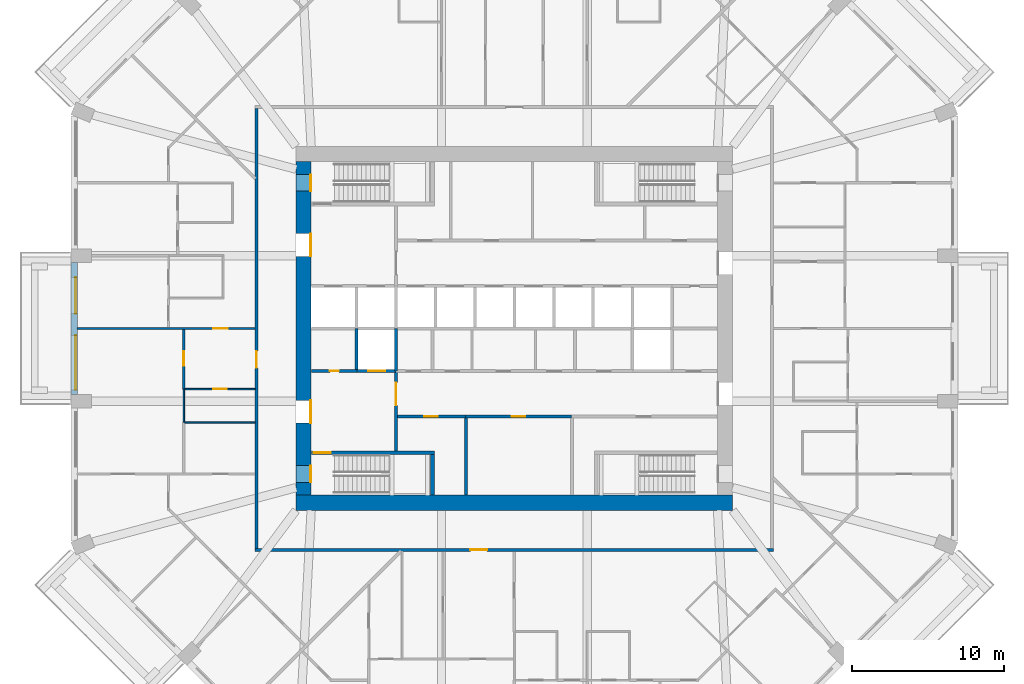
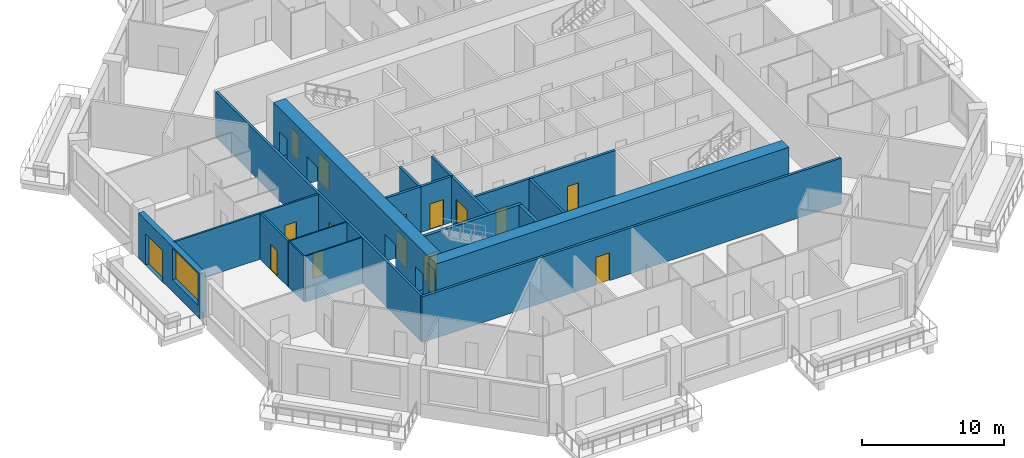
# One storey, part 4 of 13: 20 walls, 16 doors, 1 window, 17 openings.
"""IFC4 building model written with IfcOpenShell, lengths in metres."""

from ifc_helpers import new_model, si_unit, direction, frame, frame_2d, origin, place, context, subcontext, project, spatial, rectangle, extrude, material, layer, layer_set, type_object, element, fill, save


model = new_model("IFC4")

# Units and contexts
model_context = context("Model", 3, precision=1e-05, world=origin(), true_north=direction((0.0, 1.0)))
body_context = subcontext(model_context, "Body", "Model", "MODEL_VIEW")
ifc_project = project(units=[si_unit("LENGTHUNIT", "METRE"), si_unit("AREAUNIT", "SQUARE_METRE"), si_unit("VOLUMEUNIT", "CUBIC_METRE"), si_unit("PLANEANGLEUNIT", "RADIAN"), si_unit("MASSUNIT", "GRAM", prefix="KILO")], contexts=[model_context])

# Site, building, storey
site_placement = place(None, origin())
site = spatial("IfcSite", under=ifc_project, at=site_placement, CompositionType="ELEMENT")
building_placement = place(site_placement, origin())
building = spatial("IfcBuilding", under=site, at=building_placement, Name="Msitu Wima Residences", CompositionType="ELEMENT")
storey_placement = place(building_placement, frame((0.0, 0.0, 71.699951171875)))
storey = spatial("IfcBuildingStorey", under=building, at=storey_placement, Name="L16", CompositionType="ELEMENT", Elevation=71.699951171875)

# Wall, openings, door, window
ifc_material_1 = material(Name="Brick (red buff mix)", Category="masonry")
ifc_layer_1 = layer(ifc_material_1, 0.449951171875)
ifc_layer_set_1 = layer_set([ifc_layer_1], Name="Brick (red buff mix)")
wall_type_1 = type_object("IfcWallType", Name="Brick infill wall BW450", PredefinedType="SOLIDWALL", material=ifc_layer_set_1)
wall_1_placement = place(storey_placement, frame((-29.02490234375, 4.35009765625, 0.0), z_axis=(0.0, 0.0, 1.0), x_axis=(0.0, -1.0, 0.0)))
wall_1 = element("IfcWall", 1, at=wall_1_placement, inside=storey, type_object=wall_type_1, Name="Brick infill wall L16 W1", PredefinedType="SOLIDWALL", context=body_context, shape_type="SweptSolid", body=[
    extrude(rectangle(XDim=8.7001953125, YDim=0.449951171875, at=frame_2d((4.35009765625, 0.0))), origin(), (0.0, 0.0, 1.0), 3.900146484375),
])
opening_1_placement = place(wall_1_placement, frame((0.97509765625, 0.0, 0.0)))
opening_1 = element("IfcOpeningElement", 2, at=opening_1_placement, cuts=wall_1, Name="Opening D16-17.010", PredefinedType="OPENING", context=body_context, shape_type="SweptSolid", body=[
    extrude(rectangle(XDim=2.39990234375, YDim=2.699951171875, at=frame_2d((1.199951171875, 1.35009765625))), frame((0.0, 0.23486328125, 0.0), z_axis=(0.0, -1.0, 0.0), x_axis=(1.0, 0.0, 0.0)), (0.0, 0.0, 1.0), 0.469970703125),
])
opening_2_placement = place(wall_1_placement, frame((4.800048828125, 0.0, 1.050048828125)))
opening_2 = element("IfcOpeningElement", 3, at=opening_2_placement, cuts=wall_1, Name="Opening W16-17.028", PredefinedType="OPENING", context=body_context, shape_type="SweptSolid", body=[
    extrude(rectangle(XDim=3.60009765625, YDim=2.699951171875, at=frame_2d((1.800048828125, 1.35009765625))), frame((0.0, 0.23486328125, 0.0), z_axis=(0.0, -1.0, 0.0), x_axis=(1.0, 0.0, 0.0)), (0.0, 0.0, 1.0), 0.469970703125),
])
ifc_material_2 = material(Name="Anodised aluminium, bronze finish, clear low-emissivity double glazing", Category="aluminium")
door_type_1 = type_object("IfcDoorType", Name="Balcony door D2400x2700", OperationType="SLIDING_TO_LEFT", PredefinedType="DOOR", material=ifc_material_2)
door_1_placement = place(opening_1_placement, origin())
door_1 = element("IfcDoor", 4, at=door_1_placement, inside=storey, type_object=door_type_1, Name="Balcony door L16 W1", OperationType="SINGLE_SWING_LEFT", OverallHeight=2.699951171875, OverallWidth=2.39990234375, PredefinedType="DOOR", context=body_context, shape_type="SweptSolid", body=[
    extrude(rectangle(XDim=2.39990234375, YDim=2.699951171875, at=frame_2d((1.199951171875, 1.35009765625))), frame((0.0, 0.1298828125, 0.0), z_axis=(0.0, -1.0, 0.0), x_axis=(1.0, 0.0, 0.0)), (0.0, 0.0, 1.0), 0.050048828125),
])
fill(opening_1, door_1)
window_type = type_object("IfcWindowType", Name="Window W3600x2700", PartitioningType="DOUBLE_PANEL_VERTICAL", PredefinedType="WINDOW", material=ifc_material_2)
window_placement = place(opening_2_placement, origin())
window = element("IfcWindow", 5, at=window_placement, inside=storey, type_object=window_type, Name="Window L16 W1.2", OverallHeight=2.699951171875, OverallWidth=3.60009765625, PartitioningType="SINGLE_PANEL", PredefinedType="WINDOW", context=body_context, shape_type="SweptSolid", body=[
    extrude(rectangle(XDim=3.60009765625, YDim=2.699951171875, at=frame_2d((1.800048828125, 1.35009765625))), frame((0.0, 0.135009765625, 0.0), z_axis=(0.0, -1.0, 0.0), x_axis=(1.0, 0.0, 0.0)), (0.0, 0.0, 1.0), 0.06005859375),
])
fill(opening_2, window)

# Wall
ifc_material_3 = material(Name="Concrete C80/95", Category="concrete")
ifc_layer_2 = layer(ifc_material_3, 1.0)
ifc_layer_set_2 = layer_set([ifc_layer_2], Name="Concrete C80/95")
wall_type_2 = type_object("IfcWallType", Name="Core wall CW1000 C80/95", PredefinedType="SHEAR", material=ifc_layer_set_2)
wall_2_placement = place(storey_placement, frame((-14.39990234375, -11.5, 0.0), z_axis=(0.0, 0.0, 1.0), x_axis=(1.0, 0.0, 0.0)))
element("IfcWall", 6, at=wall_2_placement, inside=storey, type_object=wall_type_2, Name="Core wall", PredefinedType="SHEAR", context=body_context, shape_type="SweptSolid", body=[
    extrude(rectangle(XDim=28.7998046875, YDim=1.0, at=frame_2d((14.39990234375, 0.0))), origin(), (0.0, 0.0, 1.0), 4.199951171875),
])

# Wall, openings, doors
wall_3_placement = place(storey_placement, frame((-13.89990234375, -11.0, 0.0), z_axis=(0.0, 0.0, 1.0), x_axis=(0.0, 1.0, 0.0)))
wall_3 = element("IfcWall", 7, at=wall_3_placement, inside=storey, type_object=wall_type_2, Name="Core wall", PredefinedType="SHEAR", context=body_context, shape_type="SweptSolid", body=[
    extrude(rectangle(XDim=22.0, YDim=1.0, at=frame_2d((11.0, 0.0))), origin(), (0.0, 0.0, 1.0), 4.199951171875),
])
opening_3_placement = place(wall_3_placement, frame((20.050048828125, 0.0, 0.0)))
opening_3 = element("IfcOpeningElement", 8, at=opening_3_placement, cuts=wall_3, Name="Opening D16-17.036", PredefinedType="OPENING", context=body_context, shape_type="SweptSolid", body=[
    extrude(rectangle(XDim=1.10009765625, YDim=2.199951171875, at=frame_2d((0.550048828125, 1.10009765625))), frame((0.0, 0.510009765625, 0.0), z_axis=(0.0, -1.0, 0.0), x_axis=(1.0, 0.0, 0.0)), (0.0, 0.0, 1.0), 1.02001953125),
])
opening_4_placement = place(wall_3_placement, frame((0.85009765625, 0.0, 0.0)))
opening_4 = element("IfcOpeningElement", 9, at=opening_4_placement, cuts=wall_3, Name="Opening D16-17.038", PredefinedType="OPENING", context=body_context, shape_type="SweptSolid", body=[
    extrude(rectangle(XDim=1.10009765625, YDim=2.199951171875, at=frame_2d((0.550048828125, 1.10009765625))), frame((0.0, 0.510009765625, 0.0), z_axis=(0.0, -1.0, 0.0), x_axis=(1.0, 0.0, 0.0)), (0.0, 0.0, 1.0), 1.02001953125),
])
opening_5_placement = place(wall_3_placement, frame((15.75, 0.0, 0.0)))
opening_5 = element("IfcOpeningElement", 10, at=opening_5_placement, cuts=wall_3, Name="Opening D16-17.016", PredefinedType="OPENING", context=body_context, shape_type="SweptSolid", body=[
    extrude(rectangle(XDim=1.5, YDim=2.39990234375, at=frame_2d((0.75, 1.199951171875))), frame((0.0, 0.510009765625, 0.0), z_axis=(0.0, -1.0, 0.0), x_axis=(1.0, 0.0, 0.0)), (0.0, 0.0, 1.0), 1.02001953125),
])
opening_6_placement = place(wall_3_placement, frame((4.75, 0.0, 0.0)))
opening_6 = element("IfcOpeningElement", 11, at=opening_6_placement, cuts=wall_3, Name="Opening D16-17.018", PredefinedType="OPENING", context=body_context, shape_type="SweptSolid", body=[
    extrude(rectangle(XDim=1.5, YDim=2.39990234375, at=frame_2d((0.75, 1.199951171875))), frame((0.0, 0.510009765625, 0.0), z_axis=(0.0, -1.0, 0.0), x_axis=(1.0, 0.0, 0.0)), (0.0, 0.0, 1.0), 1.02001953125),
])
ifc_material_4 = material(Name="Steel framed glazed door, fire resisting", Category="steel")
door_type_2 = type_object("IfcDoorType", Name="Lobby door D07 1500x2400", OperationType="DOUBLE_DOOR_SINGLE_SWING", PredefinedType="DOOR", material=ifc_material_4)
door_2_placement = place(opening_5_placement, origin())
door_2 = element("IfcDoor", 12, at=door_2_placement, inside=storey, type_object=door_type_2, Name="Lobby door", OperationType="DOUBLE_DOOR_SINGLE_SWING", OverallHeight=2.39990234375, OverallWidth=1.5, PredefinedType="DOOR", context=body_context, shape_type="SweptSolid", body=[
    extrude(rectangle(XDim=1.5, YDim=2.39990234375, at=frame_2d((0.75, 1.199951171875))), frame((0.0, -0.44482421875, 0.0), z_axis=(0.0, -1.0, 0.0), x_axis=(1.0, 0.0, 0.0)), (0.0, 0.0, 1.0), 0.050048828125),
])
fill(opening_5, door_2)
door_3_placement = place(opening_6_placement, origin())
door_3 = element("IfcDoor", 13, at=door_3_placement, inside=storey, type_object=door_type_2, Name="Lobby door", OperationType="DOUBLE_DOOR_SINGLE_SWING", OverallHeight=2.39990234375, OverallWidth=1.5, PredefinedType="DOOR", context=body_context, shape_type="SweptSolid", body=[
    extrude(rectangle(XDim=1.5, YDim=2.39990234375, at=frame_2d((0.75, 1.199951171875))), frame((0.0, -0.44482421875, 0.0), z_axis=(0.0, -1.0, 0.0), x_axis=(1.0, 0.0, 0.0)), (0.0, 0.0, 1.0), 0.050048828125),
])
fill(opening_6, door_3)
ifc_material_5 = material(Name="Steel door, fire resisting, panic bar", Category="steel")
door_type_3 = type_object("IfcDoorType", Name="Stair door D06 1100x2200", OperationType="SINGLE_SWING_LEFT", PredefinedType="DOOR", material=ifc_material_5)
door_4_placement = place(opening_3_placement, origin())
door_4 = element("IfcDoor", 14, at=door_4_placement, inside=storey, type_object=door_type_3, Name="Stair door", OperationType="SINGLE_SWING_RIGHT", OverallHeight=2.199951171875, OverallWidth=1.10009765625, PredefinedType="DOOR", context=body_context, shape_type="SweptSolid", body=[
    extrude(rectangle(XDim=1.10009765625, YDim=2.199951171875, at=frame_2d((0.550048828125, 1.10009765625))), frame((0.0, -0.44482421875, 0.0), z_axis=(0.0, -1.0, 0.0), x_axis=(1.0, 0.0, 0.0)), (0.0, 0.0, 1.0), 0.050048828125),
])
fill(opening_3, door_4)
door_5_placement = place(opening_4_placement, origin())
door_5 = element("IfcDoor", 15, at=door_5_placement, inside=storey, type_object=door_type_3, Name="Stair door", OperationType="SINGLE_SWING_LEFT", OverallHeight=2.199951171875, OverallWidth=1.10009765625, PredefinedType="DOOR", context=body_context, shape_type="SweptSolid", body=[
    extrude(rectangle(XDim=1.10009765625, YDim=2.199951171875, at=frame_2d((0.550048828125, 1.10009765625))), frame((0.0, -0.44482421875, 0.0), z_axis=(0.0, -1.0, 0.0), x_axis=(1.0, 0.0, 0.0)), (0.0, 0.0, 1.0), 0.050048828125),
])
fill(opening_4, door_5)

# Wall, opening, door
ifc_material_6 = material(Name="Plaster")
ifc_layer_3 = layer(ifc_material_6, 0.011962890625, Name="Plaster")
ifc_material_7 = material(Name="Concrete blockwork", Category="masonry")
ifc_layer_4 = layer(ifc_material_7, 0.176025390625, Name="Concrete blockwork")
ifc_layer_5 = layer(ifc_material_6, 0.011962890625, Name="Plaster")
ifc_layer_set_3 = layer_set([ifc_layer_3, ifc_layer_4, ifc_layer_5], Name="Concrete blockwork")
wall_type_3 = type_object("IfcWallType", Name="Corridor wall FW200", PredefinedType="PARTITIONING", material=ifc_layer_set_3)
wall_4_placement = place(storey_placement, frame((-17.0, -14.5, 0.0), z_axis=(0.0, 0.0, 1.0), x_axis=(0.0, 1.0, 0.0)))
wall_4 = element("IfcWall", 16, at=wall_4_placement, inside=storey, type_object=wall_type_3, Name="Corridor wall", PredefinedType="PARTITIONING", context=body_context, shape_type="SweptSolid", body=[
    extrude(rectangle(XDim=29.0, YDim=0.199951171875, at=frame_2d((14.5, 0.0))), origin(), (0.0, 0.0, 1.0), 3.949951171875),
])
opening_7_placement = place(wall_4_placement, frame((11.89990234375, 0.0, 0.0)))
opening_7 = element("IfcOpeningElement", 17, at=opening_7_placement, cuts=wall_4, Name="Opening D16-17.012", PredefinedType="OPENING", context=body_context, shape_type="SweptSolid", body=[
    extrude(rectangle(XDim=1.10009765625, YDim=2.39990234375, at=frame_2d((0.550048828125, 1.199951171875))), frame((0.0, 0.10986328125, 0.0), z_axis=(0.0, -1.0, 0.0), x_axis=(1.0, 0.0, 0.0)), (0.0, 0.0, 1.0), 0.219970703125),
])
ifc_material_8 = material(Name="Timber flush door, fire resisting, self-closing", Category="wood")
door_type_4 = type_object("IfcDoorType", Name="Flat entrance door D01 1100x2400", OperationType="SINGLE_SWING_LEFT", PredefinedType="DOOR", material=ifc_material_8)
door_6_placement = place(opening_7_placement, origin())
door_6 = element("IfcDoor", 18, at=door_6_placement, inside=storey, type_object=door_type_4, Name="Flat entrance door", OperationType="SINGLE_SWING_LEFT", OverallHeight=2.39990234375, OverallWidth=1.10009765625, PredefinedType="DOOR", context=body_context, shape_type="SweptSolid", body=[
    extrude(rectangle(XDim=1.10009765625, YDim=2.39990234375, at=frame_2d((0.550048828125, 1.199951171875))), frame((0.0, 0.02490234375, 0.0), z_axis=(0.0, -1.0, 0.0), x_axis=(1.0, 0.0, 0.0)), (0.0, 0.0, 1.0), 0.050048828125),
])
fill(opening_7, door_6)

wall_5_placement = place(storey_placement, frame((-17.10009765625, -14.60009765625, 0.0), z_axis=(0.0, 0.0, 1.0), x_axis=(1.0, 0.0, 0.0)))
wall_5 = element("IfcWall", 19, at=wall_5_placement, inside=storey, type_object=wall_type_3, Name="Corridor wall", PredefinedType="PARTITIONING", context=body_context, shape_type="SweptSolid", body=[
    extrude(rectangle(XDim=34.2001953125, YDim=0.199951171875, at=frame_2d((17.10009765625, 0.0))), origin(), (0.0, 0.0, 1.0), 3.949951171875),
])
opening_8_placement = place(wall_5_placement, frame((14.199951171875, 0.0, 0.0)))
opening_8 = element("IfcOpeningElement", 20, at=opening_8_placement, cuts=wall_5, Name="Opening D16-17.013", PredefinedType="OPENING", context=body_context, shape_type="SweptSolid", body=[
    extrude(rectangle(XDim=1.10009765625, YDim=2.39990234375, at=frame_2d((0.550048828125, 1.199951171875))), frame((0.0, 0.10986328125, 0.0), z_axis=(0.0, -1.0, 0.0), x_axis=(1.0, 0.0, 0.0)), (0.0, 0.0, 1.0), 0.219970703125),
])
door_7_placement = place(opening_8_placement, origin())
door_7 = element("IfcDoor", 21, at=door_7_placement, inside=storey, type_object=door_type_4, Name="Flat entrance door", OperationType="SINGLE_SWING_RIGHT", OverallHeight=2.39990234375, OverallWidth=1.10009765625, PredefinedType="DOOR", context=body_context, shape_type="SweptSolid", body=[
    extrude(rectangle(XDim=1.10009765625, YDim=2.39990234375, at=frame_2d((0.550048828125, 1.199951171875))), frame((0.0, 0.02490234375, 0.0), z_axis=(0.0, -1.0, 0.0), x_axis=(1.0, 0.0, 0.0)), (0.0, 0.0, 1.0), 0.050048828125),
])
fill(opening_8, door_7)

wall_6_placement = place(storey_placement, frame((-7.800048828125, -8.074951171875, 0.0), z_axis=(0.0, 0.0, 1.0), x_axis=(0.0, 1.0, 0.0)))
wall_6 = element("IfcWall", 22, at=wall_6_placement, inside=storey, type_object=wall_type_3, Name="Corridor wall", PredefinedType="PARTITIONING", context=body_context, shape_type="SweptSolid", body=[
    extrude(rectangle(XDim=5.27490234375, YDim=0.199951171875, at=frame_2d((2.637451171875, 0.0))), origin(), (0.0, 0.0, 1.0), 3.949951171875),
])
opening_9_placement = place(wall_6_placement, frame((3.0, 0.0, 0.0)))
opening_9 = element("IfcOpeningElement", 23, at=opening_9_placement, cuts=wall_6, Name="Opening D16-17.019", PredefinedType="OPENING", context=body_context, shape_type="SweptSolid", body=[
    extrude(rectangle(XDim=1.5, YDim=2.39990234375, at=frame_2d((0.75, 1.199951171875))), frame((0.0, 0.10986328125, 0.0), z_axis=(0.0, -1.0, 0.0), x_axis=(1.0, 0.0, 0.0)), (0.0, 0.0, 1.0), 0.219970703125),
])
door_8_placement = place(opening_9_placement, origin())
door_8 = element("IfcDoor", 24, at=door_8_placement, inside=storey, type_object=door_type_2, Name="Lobby door", OperationType="DOUBLE_DOOR_SINGLE_SWING", OverallHeight=2.39990234375, OverallWidth=1.5, PredefinedType="DOOR", context=body_context, shape_type="SweptSolid", body=[
    extrude(rectangle(XDim=1.5, YDim=2.39990234375, at=frame_2d((0.75, 1.199951171875))), frame((0.0, 0.02490234375, 0.0), z_axis=(0.0, -1.0, 0.0), x_axis=(1.0, 0.0, 0.0)), (0.0, 0.0, 1.0), 0.050048828125),
])
fill(opening_9, door_8)

wall_7_placement = place(storey_placement, frame((-7.699951171875, -5.800048828125, 0.0), z_axis=(0.0, 0.0, 1.0), x_axis=(1.0, 0.0, 0.0)))
wall_7 = element("IfcWall", 25, at=wall_7_placement, inside=storey, type_object=wall_type_3, Name="Corridor wall", PredefinedType="PARTITIONING", context=body_context, shape_type="SweptSolid", body=[
    extrude(rectangle(XDim=4.47998046875, YDim=0.199951171875, at=frame_2d((2.239990234375, 0.0))), origin(), (0.0, 0.0, 1.0), 3.949951171875),
])
opening_10_placement = place(wall_7_placement, frame((1.75, 0.0, 0.0)))
opening_10 = element("IfcOpeningElement", 26, at=opening_10_placement, cuts=wall_7, Name="Opening D16-17.024", PredefinedType="OPENING", context=body_context, shape_type="SweptSolid", body=[
    extrude(rectangle(XDim=0.89990234375, YDim=2.199951171875, at=frame_2d((0.449951171875, 1.10009765625))), frame((0.0, 0.10986328125, 0.0), z_axis=(0.0, -1.0, 0.0), x_axis=(1.0, 0.0, 0.0)), (0.0, 0.0, 1.0), 0.219970703125),
])
ifc_material_9 = material(Name="Timber flush door", Category="wood")
door_type_5 = type_object("IfcDoorType", Name="Service door D05 900x2200", OperationType="SINGLE_SWING_LEFT", PredefinedType="DOOR", material=ifc_material_9)
door_9_placement = place(opening_10_placement, origin())
door_9 = element("IfcDoor", 27, at=door_9_placement, inside=storey, type_object=door_type_5, Name="Service door", OperationType="SINGLE_SWING_RIGHT", OverallHeight=2.199951171875, OverallWidth=0.89990234375, PredefinedType="DOOR", context=body_context, shape_type="SweptSolid", body=[
    extrude(rectangle(XDim=0.89990234375, YDim=2.199951171875, at=frame_2d((0.449951171875, 1.10009765625))), frame((0.0, 0.02490234375, 0.0), z_axis=(0.0, -1.0, 0.0), x_axis=(1.0, 0.0, 0.0)), (0.0, 0.0, 1.0), 0.050048828125),
])
fill(opening_10, door_9)

ifc_layer_6 = layer(ifc_material_6, 0.011962890625, Name="Plaster")
ifc_layer_7 = layer(ifc_material_7, 0.1259765625, Name="Concrete blockwork")
ifc_layer_8 = layer(ifc_material_6, 0.011962890625, Name="Plaster")
ifc_layer_set_4 = layer_set([ifc_layer_6, ifc_layer_7, ifc_layer_8], Name="Concrete blockwork")
wall_type_4 = type_object("IfcWallType", Name="Partition PW150", PredefinedType="PARTITIONING", material=ifc_layer_set_4)
wall_8_placement = place(storey_placement, frame((-28.85498046875, 0.0, 0.0), z_axis=(0.0, 0.0, 1.0), x_axis=(1.0, 0.0, 0.0)))
wall_8 = element("IfcWall", 28, at=wall_8_placement, inside=storey, type_object=wall_type_4, Name="Partition", PredefinedType="PARTITIONING", context=body_context, shape_type="SweptSolid", body=[
    extrude(rectangle(XDim=11.7548828125, YDim=0.14990234375, at=frame_2d((5.87744140625, 0.0))), origin(), (0.0, 0.0, 1.0), 3.949951171875),
])
opening_11_placement = place(wall_8_placement, frame((9.0, 0.0, 0.0)))
opening_11 = element("IfcOpeningElement", 29, at=opening_11_placement, cuts=wall_8, Name="Opening D16-17.046", PredefinedType="OPENING", context=body_context, shape_type="SweptSolid", body=[
    extrude(rectangle(XDim=0.949951171875, YDim=2.199951171875, at=frame_2d((0.47509765625, 1.10009765625))), frame((0.0, 0.0849609375, 0.0), z_axis=(0.0, -1.0, 0.0), x_axis=(1.0, 0.0, 0.0)), (0.0, 0.0, 1.0), 0.169921875),
])
door_type_6 = type_object("IfcDoorType", Name="Room door D12 950x2200", OperationType="SINGLE_SWING_LEFT", PredefinedType="DOOR", material=ifc_material_9)
door_10_placement = place(opening_11_placement, origin())
door_10 = element("IfcDoor", 30, at=door_10_placement, inside=storey, type_object=door_type_6, Name="Room door", OperationType="SINGLE_SWING_RIGHT", OverallHeight=2.199951171875, OverallWidth=0.949951171875, PredefinedType="DOOR", context=body_context, shape_type="SweptSolid", body=[
    extrude(rectangle(XDim=0.949951171875, YDim=2.199951171875, at=frame_2d((0.47509765625, 1.10009765625))), frame((0.0, 0.02490234375, 0.0), z_axis=(0.0, -1.0, 0.0), x_axis=(1.0, 0.0, 0.0)), (0.0, 0.0, 1.0), 0.050048828125),
])
fill(opening_11, door_10)

wall_9_placement = place(storey_placement, frame((-21.800048828125, -4.02001953125, 0.0), z_axis=(0.0, 0.0, 1.0), x_axis=(0.0, 1.0, 0.0)))
wall_9 = element("IfcWall", 31, at=wall_9_placement, inside=storey, type_object=wall_type_4, Name="Partition", PredefinedType="PARTITIONING", context=body_context, shape_type="SweptSolid", body=[
    extrude(rectangle(XDim=3.945068359375, YDim=0.14990234375, at=frame_2d((1.97265625, 0.0))), origin(), (0.0, 0.0, 1.0), 3.949951171875),
])
opening_12_placement = place(wall_9_placement, frame((1.550048828125, 0.0, 0.0)))
opening_12 = element("IfcOpeningElement", 32, at=opening_12_placement, cuts=wall_9, Name="Opening D16-17.047", PredefinedType="OPENING", context=body_context, shape_type="SweptSolid", body=[
    extrude(rectangle(XDim=0.949951171875, YDim=2.199951171875, at=frame_2d((0.47509765625, 1.10009765625))), frame((0.0, 0.0849609375, 0.0), z_axis=(0.0, -1.0, 0.0), x_axis=(1.0, 0.0, 0.0)), (0.0, 0.0, 1.0), 0.169921875),
])
door_11_placement = place(opening_12_placement, origin())
door_11 = element("IfcDoor", 33, at=door_11_placement, inside=storey, type_object=door_type_6, Name="Room door", OperationType="SINGLE_SWING_RIGHT", OverallHeight=2.199951171875, OverallWidth=0.949951171875, PredefinedType="DOOR", context=body_context, shape_type="SweptSolid", body=[
    extrude(rectangle(XDim=0.949951171875, YDim=2.199951171875, at=frame_2d((0.47509765625, 1.10009765625))), frame((0.0, 0.02490234375, 0.0), z_axis=(0.0, -1.0, 0.0), x_axis=(1.0, 0.0, 0.0)), (0.0, 0.0, 1.0), 0.050048828125),
])
fill(opening_12, door_11)

ifc_layer_9 = layer(ifc_material_6, 0.011962890625, Name="Plaster")
ifc_material_10 = material(Name="Reinforced concrete blockwork", Category="masonry")
ifc_layer_10 = layer(ifc_material_10, 0.176025390625, Name="Reinforced concrete blockwork")
ifc_layer_11 = layer(ifc_material_6, 0.011962890625, Name="Plaster")
ifc_layer_set_5 = layer_set([ifc_layer_9, ifc_layer_10, ifc_layer_11], Name="Reinforced concrete blockwork")
wall_type_5 = type_object("IfcWallType", Name="Plant and riser wall PL200", PredefinedType="PARTITIONING", material=ifc_layer_set_5)
wall_10_placement = place(storey_placement, frame((-13.3701171875, -2.800048828125, 0.0), z_axis=(0.0, 0.0, 1.0), x_axis=(1.0, 0.0, 0.0)))
wall_10 = element("IfcWall", 34, at=wall_10_placement, inside=storey, type_object=wall_type_5, Name="Plant and riser wall", PredefinedType="PARTITIONING", context=body_context, shape_type="SweptSolid", body=[
    extrude(rectangle(XDim=2.990234375, YDim=0.199951171875, at=frame_2d((1.4951171875, 0.0))), origin(), (0.0, 0.0, 1.0), 3.949951171875),
])
opening_13_placement = place(wall_10_placement, frame((1.199951171875, 0.0, 0.0)))
opening_13 = element("IfcOpeningElement", 35, at=opening_13_placement, cuts=wall_10, Name="Opening D16-17.030", PredefinedType="OPENING", context=body_context, shape_type="SweptSolid", body=[
    extrude(rectangle(XDim=0.60009765625, YDim=2.0, at=frame_2d((0.300048828125, 1.0))), frame((0.0, 0.10986328125, 0.0), z_axis=(0.0, -1.0, 0.0), x_axis=(1.0, 0.0, 0.0)), (0.0, 0.0, 1.0), 0.219970703125),
])
ifc_material_11 = material(Name="Steel access door, fire resisting", Category="steel")
door_type_7 = type_object("IfcDoorType", Name="Riser access door D08 600x2000", OperationType="SINGLE_SWING_LEFT", PredefinedType="DOOR", material=ifc_material_11)
door_12_placement = place(opening_13_placement, origin())
door_12 = element("IfcDoor", 36, at=door_12_placement, inside=storey, type_object=door_type_7, Name="Riser access door", OperationType="SINGLE_SWING_RIGHT", OverallHeight=2.0, OverallWidth=0.60009765625, PredefinedType="DOOR", context=body_context, shape_type="SweptSolid", body=[
    extrude(rectangle(XDim=0.60009765625, YDim=2.0, at=frame_2d((0.300048828125, 1.0))), frame((0.0, 0.02490234375, 0.0), z_axis=(0.0, -1.0, 0.0), x_axis=(1.0, 0.0, 0.0)), (0.0, 0.0, 1.0), 0.050048828125),
])
fill(opening_13, door_12)

wall_11_placement = place(storey_placement, frame((-3.219970703125, -5.800048828125, 0.0), z_axis=(0.0, 0.0, 1.0), x_axis=(1.0, 0.0, 0.0)))
wall_11 = element("IfcWall", 37, at=wall_11_placement, inside=storey, type_object=wall_type_5, Name="Plant and riser wall", PredefinedType="PARTITIONING", context=body_context, shape_type="SweptSolid", body=[
    extrude(rectangle(XDim=7.0, YDim=0.199951171875, at=frame_2d((3.5, 0.0))), origin(), (0.0, 0.0, 1.0), 3.949951171875),
])
opening_14_placement = place(wall_11_placement, frame((3.050048828125, 0.0, 0.0)))
opening_14 = element("IfcOpeningElement", 38, at=opening_14_placement, cuts=wall_11, Name="Opening D16-17.025", PredefinedType="OPENING", context=body_context, shape_type="SweptSolid", body=[
    extrude(rectangle(XDim=0.89990234375, YDim=2.199951171875, at=frame_2d((0.449951171875, 1.10009765625))), frame((0.0, 0.10986328125, 0.0), z_axis=(0.0, -1.0, 0.0), x_axis=(1.0, 0.0, 0.0)), (0.0, 0.0, 1.0), 0.219970703125),
])
door_13_placement = place(opening_14_placement, origin())
door_13 = element("IfcDoor", 39, at=door_13_placement, inside=storey, type_object=door_type_5, Name="Service door", OperationType="SINGLE_SWING_RIGHT", OverallHeight=2.199951171875, OverallWidth=0.89990234375, PredefinedType="DOOR", context=body_context, shape_type="SweptSolid", body=[
    extrude(rectangle(XDim=0.89990234375, YDim=2.199951171875, at=frame_2d((0.449951171875, 1.10009765625))), frame((0.0, 0.02490234375, 0.0), z_axis=(0.0, -1.0, 0.0), x_axis=(1.0, 0.0, 0.0)), (0.0, 0.0, 1.0), 0.050048828125),
])
fill(opening_14, door_13)

# Walls
wall_12_placement = place(storey_placement, frame((-3.199951171875, -10.969970703125, 0.0), z_axis=(0.0, 0.0, 1.0), x_axis=(0.0, 1.0, 0.0)))
element("IfcWall", 40, at=wall_12_placement, inside=storey, type_object=wall_type_5, Name="Plant and riser wall", PredefinedType="PARTITIONING", context=body_context, shape_type="SweptSolid", body=[
    extrude(rectangle(XDim=5.070068359375, YDim=0.199951171875, at=frame_2d((2.53515625, 0.0))), origin(), (0.0, 0.0, 1.0), 3.949951171875),
])
ifc_material_12 = material(Name="Fire-rated board")
ifc_layer_12 = layer(ifc_material_12, 0.02490234375, Name="Fire-rated board")
ifc_material_13 = material(Name="Light-gauge stud framing with mineral wool")
ifc_layer_13 = layer(ifc_material_13, 0.14990234375, Name="Light-gauge stud framing with mineral wool")
ifc_layer_14 = layer(ifc_material_12, 0.02490234375, Name="Fire-rated board")
ifc_layer_set_6 = layer_set([ifc_layer_12, ifc_layer_13, ifc_layer_14], Name="Light-gauge stud framing with mineral wool")
wall_type_6 = type_object("IfcWallType", Name="Shaft wall SH200", PredefinedType="PARTITIONING", material=ifc_layer_set_6)
wall_13_placement = place(storey_placement, frame((-10.39990234375, -2.699951171875, 0.0), z_axis=(0.0, 0.0, 1.0), x_axis=(0.0, 1.0, 0.0)))
element("IfcWall", 41, at=wall_13_placement, inside=storey, type_object=wall_type_6, Name="Shaft wall", PredefinedType="PARTITIONING", context=body_context, shape_type="SweptSolid", body=[
    extrude(rectangle(XDim=2.699951171875, YDim=0.199951171875, at=frame_2d((1.35009765625, 0.0))), origin(), (0.0, 0.0, 1.0), 3.949951171875),
])

# Wall, opening, door
wall_14_placement = place(storey_placement, frame((-10.3798828125, -2.800048828125, 0.0), z_axis=(0.0, 0.0, 1.0), x_axis=(1.0, 0.0, 0.0)))
wall_14 = element("IfcWall", 42, at=wall_14_placement, inside=storey, type_object=wall_type_6, Name="Shaft wall", PredefinedType="PARTITIONING", context=body_context, shape_type="SweptSolid", body=[
    extrude(rectangle(XDim=2.579833984375, YDim=0.199951171875, at=frame_2d((1.2900390625, 0.0))), origin(), (0.0, 0.0, 1.0), 3.949951171875),
])
opening_15_placement = place(wall_14_placement, frame((0.75, 0.0, 0.0)))
opening_15 = element("IfcOpeningElement", 43, at=opening_15_placement, cuts=wall_14, Name="Opening LD", PredefinedType="OPENING", context=body_context, shape_type="SweptSolid", body=[
    extrude(rectangle(XDim=1.10009765625, YDim=2.199951171875, at=frame_2d((0.550048828125, 1.10009765625))), frame((0.0, 0.10986328125, 0.0), z_axis=(0.0, -1.0, 0.0), x_axis=(1.0, 0.0, 0.0)), (0.0, 0.0, 1.0), 0.219970703125),
])
ifc_material_14 = material(Name="Stainless steel centre-opening landing door, rated", Category="steel")
door_type_8 = type_object("IfcDoorType", Name="Lift landing door LD 1100x2200", OperationType="DOUBLE_DOOR_SLIDING", PredefinedType="DOOR", material=ifc_material_14)
door_14_placement = place(opening_15_placement, origin())
door_14 = element("IfcDoor", 44, at=door_14_placement, inside=storey, type_object=door_type_8, Name="Lift landing door LD3", OperationType="DOUBLE_DOOR_SLIDING", OverallHeight=2.199951171875, OverallWidth=1.10009765625, PredefinedType="DOOR", context=body_context, shape_type="SweptSolid", body=[
    extrude(rectangle(XDim=1.10009765625, YDim=2.199951171875, at=frame_2d((0.550048828125, 1.10009765625))), frame((0.0, 0.02490234375, 0.0), z_axis=(0.0, -1.0, 0.0), x_axis=(1.0, 0.0, 0.0)), (0.0, 0.0, 1.0), 0.050048828125),
])
fill(opening_15, door_14)

# Wall
wall_15_placement = place(storey_placement, frame((-7.800048828125, -2.800048828125, 0.0), z_axis=(0.0, 0.0, 1.0), x_axis=(0.0, 1.0, 0.0)))
element("IfcWall", 45, at=wall_15_placement, inside=storey, type_object=wall_type_6, Name="Shaft wall", PredefinedType="PARTITIONING", context=body_context, shape_type="SweptSolid", body=[
    extrude(rectangle(XDim=2.800048828125, YDim=0.199951171875, at=frame_2d((1.39990234375, 0.0))), origin(), (0.0, 0.0, 1.0), 3.949951171875),
])

# Wall, opening, door
ifc_material_15 = material(Name="Concrete C50/60", Category="concrete")
ifc_layer_15 = layer(ifc_material_15, 0.25)
ifc_layer_set_7 = layer_set([ifc_layer_15], Name="Concrete C50/60")
wall_type_7 = type_object("IfcWallType", Name="Stair enclosure wall SW250", PredefinedType="SHEAR", material=ifc_layer_set_7)
wall_16_placement = place(storey_placement, frame((-13.3701171875, -8.199951171875, 0.0), z_axis=(0.0, 0.0, 1.0), x_axis=(1.0, 0.0, 0.0)))
wall_16 = element("IfcWall", 46, at=wall_16_placement, inside=storey, type_object=wall_type_7, Name="Stair enclosure wall", PredefinedType="SHEAR", context=body_context, shape_type="SweptSolid", body=[
    extrude(rectangle(XDim=8.09521484375, YDim=0.25, at=frame_2d((4.047607421875, 0.0))), origin(), (0.0, 0.0, 1.0), 3.949951171875),
])
opening_16_placement = place(wall_16_placement, frame((0.14990234375, 0.0, 0.0)))
opening_16 = element("IfcOpeningElement", 47, at=opening_16_placement, cuts=wall_16, Name="Opening D16-17.039", PredefinedType="OPENING", context=body_context, shape_type="SweptSolid", body=[
    extrude(rectangle(XDim=1.10009765625, YDim=2.199951171875, at=frame_2d((0.550048828125, 1.10009765625))), frame((0.0, 0.135009765625, 0.0), z_axis=(0.0, -1.0, 0.0), x_axis=(1.0, 0.0, 0.0)), (0.0, 0.0, 1.0), 0.27001953125),
])
door_15_placement = place(opening_16_placement, origin())
door_15 = element("IfcDoor", 48, at=door_15_placement, inside=storey, type_object=door_type_3, Name="Stair door", OperationType="SINGLE_SWING_RIGHT", OverallHeight=2.199951171875, OverallWidth=1.10009765625, PredefinedType="DOOR", context=body_context, shape_type="SweptSolid", body=[
    extrude(rectangle(XDim=1.10009765625, YDim=2.199951171875, at=frame_2d((0.550048828125, 1.10009765625))), frame((0.0, 0.02490234375, 0.0), z_axis=(0.0, -1.0, 0.0), x_axis=(1.0, 0.0, 0.0)), (0.0, 0.0, 1.0), 0.050048828125),
])
fill(opening_16, door_15)

# Walls
wall_17_placement = place(storey_placement, frame((-5.39990234375, -10.969970703125, 0.0), z_axis=(0.0, 0.0, 1.0), x_axis=(0.0, 1.0, 0.0)))
element("IfcWall", 49, at=wall_17_placement, inside=storey, type_object=wall_type_7, Name="Stair enclosure wall", PredefinedType="SHEAR", context=body_context, shape_type="SweptSolid", body=[
    extrude(rectangle(XDim=2.64501953125, YDim=0.25, at=frame_2d((1.322509765625, 0.0))), origin(), (0.0, 0.0, 1.0), 3.949951171875),
])
ifc_material_16 = material(Name="Ceramic tiles")
ifc_layer_16 = layer(ifc_material_16, 0.008056640625, Name="Ceramic tiles")
ifc_material_17 = material(Name="Moisture-resistant board")
ifc_layer_17 = layer(ifc_material_17, 0.012451171875, Name="Moisture-resistant board")
ifc_layer_18 = layer(ifc_material_13, 0.06689453125, Name="Light-gauge stud framing with mineral wool")
ifc_layer_19 = layer(ifc_material_17, 0.012451171875, Name="Moisture-resistant board")
ifc_layer_set_8 = layer_set([ifc_layer_16, ifc_layer_17, ifc_layer_18, ifc_layer_19], Name="Light-gauge stud framing with mineral wool")
wall_type_8 = type_object("IfcWallType", Name="Wet wall PW100", PredefinedType="PARTITIONING", material=ifc_layer_set_8)
wall_18_placement = place(storey_placement, frame((-21.800048828125, -6.179931640625, 0.0), z_axis=(0.0, 0.0, 1.0), x_axis=(0.0, 1.0, 0.0)))
element("IfcWall", 50, at=wall_18_placement, inside=storey, type_object=wall_type_8, Name="Wet wall", PredefinedType="PARTITIONING", context=body_context, shape_type="SweptSolid", body=[
    extrude(rectangle(XDim=2.159912109375, YDim=0.10009765625, at=frame_2d((1.080078125, 0.0))), origin(), (0.0, 0.0, 1.0), 3.949951171875),
])
wall_19_placement = place(storey_placement, frame((-21.72509765625, -6.199951171875, 0.0), z_axis=(0.0, 0.0, 1.0), x_axis=(1.0, 0.0, 0.0)))
element("IfcWall", 51, at=wall_19_placement, inside=storey, type_object=wall_type_8, Name="Wet wall", PredefinedType="PARTITIONING", context=body_context, shape_type="SweptSolid", body=[
    extrude(rectangle(XDim=4.625, YDim=0.10009765625, at=frame_2d((2.3125, 0.0))), origin(), (0.0, 0.0, 1.0), 3.949951171875),
])

# Wall, opening, door
wall_20_placement = place(storey_placement, frame((-21.75, -4.0, 0.0), z_axis=(0.0, 0.0, 1.0), x_axis=(1.0, 0.0, 0.0)))
wall_20 = element("IfcWall", 52, at=wall_20_placement, inside=storey, type_object=wall_type_8, Name="Wet wall", PredefinedType="PARTITIONING", context=body_context, shape_type="SweptSolid", body=[
    extrude(rectangle(XDim=4.64990234375, YDim=0.10009765625, at=frame_2d((2.324951171875, 0.0))), origin(), (0.0, 0.0, 1.0), 3.949951171875),
])
opening_17_placement = place(wall_20_placement, frame((1.89990234375, 0.0, 0.0)))
opening_17 = element("IfcOpeningElement", 53, at=opening_17_placement, cuts=wall_20, Name="Opening D16-17.048", PredefinedType="OPENING", context=body_context, shape_type="SweptSolid", body=[
    extrude(rectangle(XDim=0.89990234375, YDim=2.199951171875, at=frame_2d((0.449951171875, 1.10009765625))), frame((0.0, 0.06005859375, 0.0), z_axis=(0.0, -1.0, 0.0), x_axis=(1.0, 0.0, 0.0)), (0.0, 0.0, 1.0), 0.1201171875),
])
ifc_material_18 = material(Name="Timber flush door, moisture resistant", Category="wood")
door_type_9 = type_object("IfcDoorType", Name="Bathroom door D03 900x2200", OperationType="SINGLE_SWING_LEFT", PredefinedType="DOOR", material=ifc_material_18)
door_16_placement = place(opening_17_placement, origin())
door_16 = element("IfcDoor", 54, at=door_16_placement, inside=storey, type_object=door_type_9, Name="Bathroom door", OperationType="SINGLE_SWING_LEFT", OverallHeight=2.199951171875, OverallWidth=0.89990234375, PredefinedType="DOOR", context=body_context, shape_type="SweptSolid", body=[
    extrude(rectangle(XDim=0.89990234375, YDim=2.199951171875, at=frame_2d((0.449951171875, 1.10009765625))), frame((0.0, 0.02490234375, 0.0), z_axis=(0.0, -1.0, 0.0), x_axis=(1.0, 0.0, 0.0)), (0.0, 0.0, 1.0), 0.050048828125),
])
fill(opening_17, door_16)

save(model, "model.ifc")
